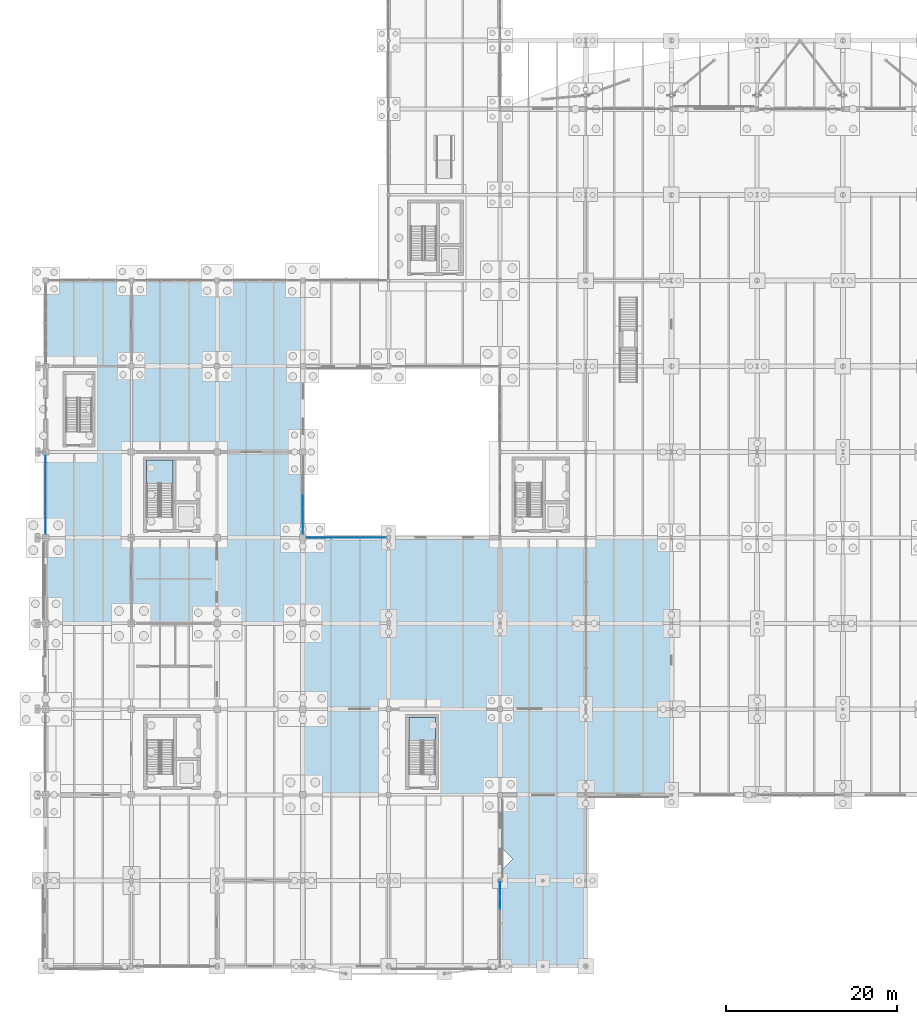
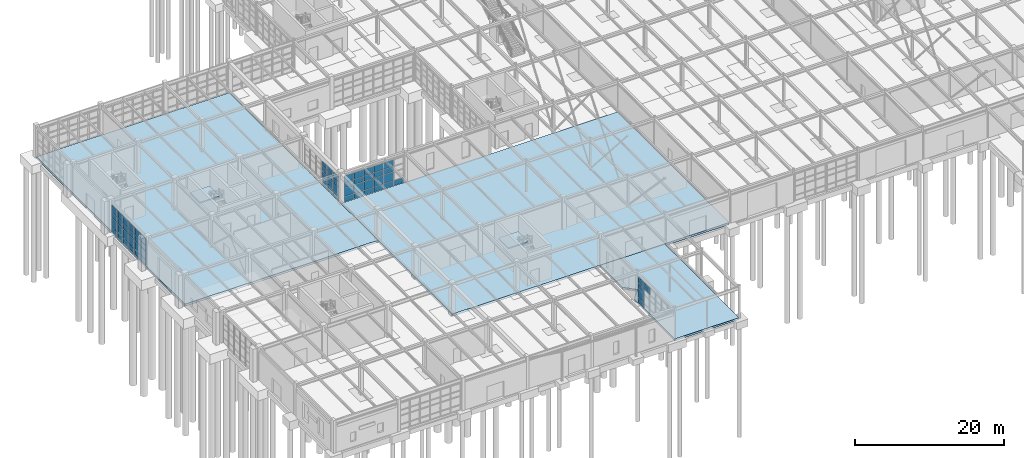
# One storey, part 83 of 145: 62 plates, 5 slabs, 6 elements without a shape of their own.
"""IFC4 building model written with IfcOpenShell, lengths in metres."""

from ifc_helpers import new_model, si_unit, direction, frame, origin, origin_2d, place, context, subcontext, project, spatial, polyline, rectangle, outline, extrude, material, layer, layer_set, type_object, element, aggregate, save


model = new_model("IFC4")

# Units and contexts
model_context = context("Model", 3, precision=1e-05, world=origin(), true_north=direction((0.0, 1.0)))
body_context = subcontext(model_context, "Body", "Model", "MODEL_VIEW")
ifc_project = project(units=[si_unit("LENGTHUNIT", "METRE"), si_unit("AREAUNIT", "SQUARE_METRE"), si_unit("VOLUMEUNIT", "CUBIC_METRE"), si_unit("PLANEANGLEUNIT", "RADIAN"), si_unit("MASSUNIT", "GRAM", prefix="KILO"), si_unit("THERMODYNAMICTEMPERATUREUNIT", "KELVIN"), si_unit("POWERUNIT", "WATT")], contexts=[model_context])

# Site, building, storey
site_placement = place(None, origin())
site = spatial("IfcSite", under=ifc_project, at=site_placement, CompositionType="ELEMENT")
building_placement = place(site_placement, origin())
building = spatial("IfcBuilding", under=site, at=building_placement, Name="Korenveer Ferry Terminal", CompositionType="ELEMENT")
storey_placement = place(building_placement, origin())
storey = spatial("IfcBuildingStorey", under=building, at=storey_placement, Name="L00", CompositionType="ELEMENT", Elevation=0.0)

# Curtain wall, plates
ifc_material_1 = material(Name="Unitised bronze-and-glass curtain wall", Category="glass")
ifc_layer_1 = layer(ifc_material_1, 0.159912109375)
ifc_layer_set_1 = layer_set([ifc_layer_1], Name="Unitised bronze-and-glass curtain wall")
curtain_wall_type_1 = type_object("IfcCurtainWallType", Name="ENV-CW-03", PredefinedType="USERDEFINED", material=ifc_layer_set_1)
curtain_wall_1_placement = place(storey_placement, frame((30.405029296875, 50.0, 0.0)))
curtain_wall_1 = element("IfcCurtainWall", 1, at=curtain_wall_1_placement, inside=storey, type_object=curtain_wall_type_1, Name="Lancet curtain wall CWX-L00-X30-40-Y50-50", ObjectType="UNITISED CURTAIN WALL", PredefinedType="USERDEFINED")
ifc_material_2 = material(Name="Low-iron solar-control double glazing", Category="glass")
ifc_layer_2 = layer(ifc_material_2, 0.028076171875)
ifc_layer_set_2 = layer_set([ifc_layer_2], Name="Low-iron solar-control double glazing")
plate_type = type_object("IfcPlateType", Name="ENV-CWP-GLZ28", PredefinedType="CURTAIN_PANEL", material=ifc_layer_set_2)
plate_1_placement = place(storey_placement, frame((31.200439453125, 50.0, 0.06005859375), z_axis=(0.0, 0.0, 1.0), x_axis=(1.0, 0.0, 0.0)))
plate_1 = element("IfcPlate", 2, at=plate_1_placement, type_object=plate_type, Name="CW-03 panel 1.1", PredefinedType="CURTAIN_PANEL", context=body_context, shape_type="SweptSolid", body=[
    extrude(rectangle(XDim=1.470947265625, YDim=0.028076171875, at=origin_2d()), origin(), (0.0, 0.0, 1.0), 0.81005859375),
])
plate_2_placement = place(storey_placement, frame((31.200439453125, 50.0, 0.93017578125), z_axis=(0.0, 0.0, 1.0), x_axis=(1.0, 0.0, 0.0)))
plate_2 = element("IfcPlate", 3, at=plate_2_placement, type_object=plate_type, Name="CW-03 panel 1.2", PredefinedType="CURTAIN_PANEL", context=body_context, shape_type="SweptSolid", body=[
    extrude(rectangle(XDim=1.470947265625, YDim=0.028076171875, at=origin_2d()), origin(), (0.0, 0.0, 1.0), 1.389892578125),
])
plate_3_placement = place(storey_placement, frame((31.200439453125, 50.0, 2.3798828125), z_axis=(0.0, 0.0, 1.0), x_axis=(1.0, 0.0, 0.0)))
plate_3 = element("IfcPlate", 4, at=plate_3_placement, type_object=plate_type, Name="CW-03 panel 1.3", PredefinedType="CURTAIN_PANEL", context=body_context, shape_type="SweptSolid", body=[
    extrude(rectangle(XDim=1.470947265625, YDim=0.028076171875, at=origin_2d()), origin(), (0.0, 0.0, 1.0), 0.840087890625),
])
plate_4_placement = place(storey_placement, frame((31.200439453125, 50.0, 3.27978515625), z_axis=(0.0, 0.0, 1.0), x_axis=(1.0, 0.0, 0.0)))
plate_4 = element("IfcPlate", 5, at=plate_4_placement, type_object=plate_type, Name="CW-03 panel 1.4", PredefinedType="CURTAIN_PANEL", context=body_context, shape_type="SweptSolid", body=[
    extrude(rectangle(XDim=1.470947265625, YDim=0.028076171875, at=origin_2d()), origin(), (0.0, 0.0, 1.0), 1.050048828125),
])
plate_5_placement = place(storey_placement, frame((32.746337890625, 50.0, 0.06005859375), z_axis=(0.0, 0.0, 1.0), x_axis=(1.0, 0.0, 0.0)))
plate_5 = element("IfcPlate", 6, at=plate_5_placement, type_object=plate_type, Name="CW-03 panel 2.1", PredefinedType="CURTAIN_PANEL", context=body_context, shape_type="SweptSolid", body=[
    extrude(rectangle(XDim=1.500732421875, YDim=0.028076171875, at=origin_2d()), origin(), (0.0, 0.0, 1.0), 0.81005859375),
])
plate_6_placement = place(storey_placement, frame((32.746337890625, 50.0, 0.93017578125), z_axis=(0.0, 0.0, 1.0), x_axis=(1.0, 0.0, 0.0)))
plate_6 = element("IfcPlate", 7, at=plate_6_placement, type_object=plate_type, Name="CW-03 panel 2.2", PredefinedType="CURTAIN_PANEL", context=body_context, shape_type="SweptSolid", body=[
    extrude(rectangle(XDim=1.500732421875, YDim=0.028076171875, at=origin_2d()), origin(), (0.0, 0.0, 1.0), 1.389892578125),
])
plate_7_placement = place(storey_placement, frame((32.746337890625, 50.0, 2.3798828125), z_axis=(0.0, 0.0, 1.0), x_axis=(1.0, 0.0, 0.0)))
plate_7 = element("IfcPlate", 8, at=plate_7_placement, type_object=plate_type, Name="CW-03 panel 2.3", PredefinedType="CURTAIN_PANEL", context=body_context, shape_type="SweptSolid", body=[
    extrude(rectangle(XDim=1.500732421875, YDim=0.028076171875, at=origin_2d()), origin(), (0.0, 0.0, 1.0), 0.840087890625),
])
plate_8_placement = place(storey_placement, frame((32.746337890625, 50.0, 3.27978515625), z_axis=(0.0, 0.0, 1.0), x_axis=(1.0, 0.0, 0.0)))
plate_8 = element("IfcPlate", 9, at=plate_8_placement, type_object=plate_type, Name="CW-03 panel 2.4", PredefinedType="CURTAIN_PANEL", context=body_context, shape_type="SweptSolid", body=[
    extrude(rectangle(XDim=1.500732421875, YDim=0.028076171875, at=origin_2d()), origin(), (0.0, 0.0, 1.0), 1.050048828125),
])
plate_9_placement = place(storey_placement, frame((34.30712890625, 50.0, 0.06005859375), z_axis=(0.0, 0.0, 1.0), x_axis=(1.0, 0.0, 0.0)))
plate_9 = element("IfcPlate", 10, at=plate_9_placement, type_object=plate_type, Name="CW-03 panel 3.1", PredefinedType="CURTAIN_PANEL", context=body_context, shape_type="SweptSolid", body=[
    extrude(rectangle(XDim=1.500732421875, YDim=0.028076171875, at=origin_2d()), origin(), (0.0, 0.0, 1.0), 0.81005859375),
])
plate_10_placement = place(storey_placement, frame((34.30712890625, 50.0, 0.93017578125), z_axis=(0.0, 0.0, 1.0), x_axis=(1.0, 0.0, 0.0)))
plate_10 = element("IfcPlate", 11, at=plate_10_placement, type_object=plate_type, Name="CW-03 panel 3.2", PredefinedType="CURTAIN_PANEL", context=body_context, shape_type="SweptSolid", body=[
    extrude(rectangle(XDim=1.500732421875, YDim=0.028076171875, at=origin_2d()), origin(), (0.0, 0.0, 1.0), 1.389892578125),
])
plate_11_placement = place(storey_placement, frame((34.30712890625, 50.0, 2.3798828125), z_axis=(0.0, 0.0, 1.0), x_axis=(1.0, 0.0, 0.0)))
plate_11 = element("IfcPlate", 12, at=plate_11_placement, type_object=plate_type, Name="CW-03 panel 3.3", PredefinedType="CURTAIN_PANEL", context=body_context, shape_type="SweptSolid", body=[
    extrude(rectangle(XDim=1.500732421875, YDim=0.028076171875, at=origin_2d()), origin(), (0.0, 0.0, 1.0), 0.840087890625),
])
plate_12_placement = place(storey_placement, frame((34.30712890625, 50.0, 3.27978515625), z_axis=(0.0, 0.0, 1.0), x_axis=(1.0, 0.0, 0.0)))
plate_12 = element("IfcPlate", 13, at=plate_12_placement, type_object=plate_type, Name="CW-03 panel 3.4", PredefinedType="CURTAIN_PANEL", context=body_context, shape_type="SweptSolid", body=[
    extrude(rectangle(XDim=1.500732421875, YDim=0.028076171875, at=origin_2d()), origin(), (0.0, 0.0, 1.0), 1.050048828125),
])
plate_13_placement = place(storey_placement, frame((35.867919921875, 50.0, 0.06005859375), z_axis=(0.0, 0.0, 1.0), x_axis=(1.0, 0.0, 0.0)))
plate_13 = element("IfcPlate", 14, at=plate_13_placement, type_object=plate_type, Name="CW-03 panel 4.1", PredefinedType="CURTAIN_PANEL", context=body_context, shape_type="SweptSolid", body=[
    extrude(rectangle(XDim=1.500732421875, YDim=0.028076171875, at=origin_2d()), origin(), (0.0, 0.0, 1.0), 0.81005859375),
])
plate_14_placement = place(storey_placement, frame((35.867919921875, 50.0, 0.93017578125), z_axis=(0.0, 0.0, 1.0), x_axis=(1.0, 0.0, 0.0)))
plate_14 = element("IfcPlate", 15, at=plate_14_placement, type_object=plate_type, Name="CW-03 panel 4.2", PredefinedType="CURTAIN_PANEL", context=body_context, shape_type="SweptSolid", body=[
    extrude(rectangle(XDim=1.500732421875, YDim=0.028076171875, at=origin_2d()), origin(), (0.0, 0.0, 1.0), 1.389892578125),
])
plate_15_placement = place(storey_placement, frame((35.867919921875, 50.0, 2.3798828125), z_axis=(0.0, 0.0, 1.0), x_axis=(1.0, 0.0, 0.0)))
plate_15 = element("IfcPlate", 16, at=plate_15_placement, type_object=plate_type, Name="CW-03 panel 4.3", PredefinedType="CURTAIN_PANEL", context=body_context, shape_type="SweptSolid", body=[
    extrude(rectangle(XDim=1.500732421875, YDim=0.028076171875, at=origin_2d()), origin(), (0.0, 0.0, 1.0), 0.840087890625),
])
plate_16_placement = place(storey_placement, frame((35.867919921875, 50.0, 3.27978515625), z_axis=(0.0, 0.0, 1.0), x_axis=(1.0, 0.0, 0.0)))
plate_16 = element("IfcPlate", 17, at=plate_16_placement, type_object=plate_type, Name="CW-03 panel 4.4", PredefinedType="CURTAIN_PANEL", context=body_context, shape_type="SweptSolid", body=[
    extrude(rectangle(XDim=1.500732421875, YDim=0.028076171875, at=origin_2d()), origin(), (0.0, 0.0, 1.0), 1.050048828125),
])
plate_17_placement = place(storey_placement, frame((37.4287109375, 50.0, 0.06005859375), z_axis=(0.0, 0.0, 1.0), x_axis=(1.0, 0.0, 0.0)))
plate_17 = element("IfcPlate", 18, at=plate_17_placement, type_object=plate_type, Name="CW-03 panel 5.1", PredefinedType="CURTAIN_PANEL", context=body_context, shape_type="SweptSolid", body=[
    extrude(rectangle(XDim=1.500732421875, YDim=0.028076171875, at=origin_2d()), origin(), (0.0, 0.0, 1.0), 0.81005859375),
])
plate_18_placement = place(storey_placement, frame((37.4287109375, 50.0, 0.93017578125), z_axis=(0.0, 0.0, 1.0), x_axis=(1.0, 0.0, 0.0)))
plate_18 = element("IfcPlate", 19, at=plate_18_placement, type_object=plate_type, Name="CW-03 panel 5.2", PredefinedType="CURTAIN_PANEL", context=body_context, shape_type="SweptSolid", body=[
    extrude(rectangle(XDim=1.500732421875, YDim=0.028076171875, at=origin_2d()), origin(), (0.0, 0.0, 1.0), 1.389892578125),
])
plate_19_placement = place(storey_placement, frame((37.4287109375, 50.0, 2.3798828125), z_axis=(0.0, 0.0, 1.0), x_axis=(1.0, 0.0, 0.0)))
plate_19 = element("IfcPlate", 20, at=plate_19_placement, type_object=plate_type, Name="CW-03 panel 5.3", PredefinedType="CURTAIN_PANEL", context=body_context, shape_type="SweptSolid", body=[
    extrude(rectangle(XDim=1.500732421875, YDim=0.028076171875, at=origin_2d()), origin(), (0.0, 0.0, 1.0), 0.840087890625),
])
plate_20_placement = place(storey_placement, frame((37.4287109375, 50.0, 3.27978515625), z_axis=(0.0, 0.0, 1.0), x_axis=(1.0, 0.0, 0.0)))
plate_20 = element("IfcPlate", 21, at=plate_20_placement, type_object=plate_type, Name="CW-03 panel 5.4", PredefinedType="CURTAIN_PANEL", context=body_context, shape_type="SweptSolid", body=[
    extrude(rectangle(XDim=1.500732421875, YDim=0.028076171875, at=origin_2d()), origin(), (0.0, 0.0, 1.0), 1.050048828125),
])
plate_21_placement = place(storey_placement, frame((38.974609375, 50.0, 0.06005859375), z_axis=(0.0, 0.0, 1.0), x_axis=(1.0, 0.0, 0.0)))
plate_21 = element("IfcPlate", 22, at=plate_21_placement, type_object=plate_type, Name="CW-03 panel 6.1", PredefinedType="CURTAIN_PANEL", context=body_context, shape_type="SweptSolid", body=[
    extrude(rectangle(XDim=1.470947265625, YDim=0.028076171875, at=origin_2d()), origin(), (0.0, 0.0, 1.0), 0.81005859375),
])
aggregate(curtain_wall_1, [plate_1, plate_2, plate_3, plate_4, plate_5, plate_6, plate_7, plate_8, plate_9, plate_10, plate_11, plate_12, plate_13, plate_14, plate_15, plate_16, plate_17, plate_18, plate_19, plate_20, plate_21])

ifc_layer_3 = layer(ifc_material_1, 0.159912109375)
ifc_layer_set_3 = layer_set([ifc_layer_3], Name="Unitised bronze-and-glass curtain wall")
curtain_wall_type_2 = type_object("IfcCurtainWallType", Name="ENV-CW-18", PredefinedType="USERDEFINED", material=ifc_layer_set_3)
curtain_wall_2_placement = place(storey_placement, frame((0.0, 50.405029296875, 0.0)))
curtain_wall_2 = element("IfcCurtainWall", 23, at=curtain_wall_2_placement, inside=storey, type_object=curtain_wall_type_2, Name="Lancet curtain wall CWX-L00-X0-0-Y50-60", ObjectType="UNITISED CURTAIN WALL", PredefinedType="USERDEFINED")
plate_22_placement = place(storey_placement, frame((0.0, 51.185791015625, 0.06005859375), z_axis=(0.0, 0.0, 1.0), x_axis=(0.0, 1.0, 0.0)))
plate_22 = element("IfcPlate", 24, at=plate_22_placement, type_object=plate_type, Name="CW-18 panel 1.1", PredefinedType="CURTAIN_PANEL", context=body_context, shape_type="SweptSolid", body=[
    extrude(rectangle(XDim=1.441650390625, YDim=0.028076171875, at=origin_2d()), origin(), (0.0, 0.0, 1.0), 0.81005859375),
])
plate_23_placement = place(storey_placement, frame((0.0, 51.185791015625, 0.93017578125), z_axis=(0.0, 0.0, 1.0), x_axis=(0.0, 1.0, 0.0)))
plate_23 = element("IfcPlate", 25, at=plate_23_placement, type_object=plate_type, Name="CW-18 panel 1.2", PredefinedType="CURTAIN_PANEL", context=body_context, shape_type="SweptSolid", body=[
    extrude(rectangle(XDim=1.441650390625, YDim=0.028076171875, at=origin_2d()), origin(), (0.0, 0.0, 1.0), 1.389892578125),
])
plate_24_placement = place(storey_placement, frame((0.0, 51.185791015625, 2.3798828125), z_axis=(0.0, 0.0, 1.0), x_axis=(0.0, 1.0, 0.0)))
plate_24 = element("IfcPlate", 26, at=plate_24_placement, type_object=plate_type, Name="CW-18 panel 1.3", PredefinedType="CURTAIN_PANEL", context=body_context, shape_type="SweptSolid", body=[
    extrude(rectangle(XDim=1.441650390625, YDim=0.028076171875, at=origin_2d()), origin(), (0.0, 0.0, 1.0), 0.840087890625),
])
plate_25_placement = place(storey_placement, frame((0.0, 51.185791015625, 3.280029296875), z_axis=(0.0, 0.0, 1.0), x_axis=(0.0, 1.0, 0.0)))
plate_25 = element("IfcPlate", 27, at=plate_25_placement, type_object=plate_type, Name="CW-18 panel 1.4", PredefinedType="CURTAIN_PANEL", context=body_context, shape_type="SweptSolid", body=[
    extrude(rectangle(XDim=1.441650390625, YDim=0.028076171875, at=origin_2d()), origin(), (0.0, 0.0, 1.0), 1.14990234375),
])
plate_26_placement = place(storey_placement, frame((0.0, 52.702392578125, 0.06005859375), z_axis=(0.0, 0.0, 1.0), x_axis=(0.0, 1.0, 0.0)))
plate_26 = element("IfcPlate", 28, at=plate_26_placement, type_object=plate_type, Name="CW-18 panel 2.1", PredefinedType="CURTAIN_PANEL", context=body_context, shape_type="SweptSolid", body=[
    extrude(rectangle(XDim=1.4716796875, YDim=0.028076171875, at=origin_2d()), origin(), (0.0, 0.0, 1.0), 0.81005859375),
])
plate_27_placement = place(storey_placement, frame((0.0, 52.702392578125, 0.93017578125), z_axis=(0.0, 0.0, 1.0), x_axis=(0.0, 1.0, 0.0)))
plate_27 = element("IfcPlate", 29, at=plate_27_placement, type_object=plate_type, Name="CW-18 panel 2.2", PredefinedType="CURTAIN_PANEL", context=body_context, shape_type="SweptSolid", body=[
    extrude(rectangle(XDim=1.4716796875, YDim=0.028076171875, at=origin_2d()), origin(), (0.0, 0.0, 1.0), 1.389892578125),
])
plate_28_placement = place(storey_placement, frame((0.0, 52.702392578125, 2.3798828125), z_axis=(0.0, 0.0, 1.0), x_axis=(0.0, 1.0, 0.0)))
plate_28 = element("IfcPlate", 30, at=plate_28_placement, type_object=plate_type, Name="CW-18 panel 2.3", PredefinedType="CURTAIN_PANEL", context=body_context, shape_type="SweptSolid", body=[
    extrude(rectangle(XDim=1.4716796875, YDim=0.028076171875, at=origin_2d()), origin(), (0.0, 0.0, 1.0), 0.840087890625),
])
plate_29_placement = place(storey_placement, frame((0.0, 52.702392578125, 3.280029296875), z_axis=(0.0, 0.0, 1.0), x_axis=(0.0, 1.0, 0.0)))
plate_29 = element("IfcPlate", 31, at=plate_29_placement, type_object=plate_type, Name="CW-18 panel 2.4", PredefinedType="CURTAIN_PANEL", context=body_context, shape_type="SweptSolid", body=[
    extrude(rectangle(XDim=1.4716796875, YDim=0.028076171875, at=origin_2d()), origin(), (0.0, 0.0, 1.0), 1.14990234375),
])
plate_30_placement = place(storey_placement, frame((0.0, 54.234130859375, 0.06005859375), z_axis=(0.0, 0.0, 1.0), x_axis=(0.0, 1.0, 0.0)))
plate_30 = element("IfcPlate", 32, at=plate_30_placement, type_object=plate_type, Name="CW-18 panel 3.1", PredefinedType="CURTAIN_PANEL", context=body_context, shape_type="SweptSolid", body=[
    extrude(rectangle(XDim=1.4716796875, YDim=0.028076171875, at=origin_2d()), origin(), (0.0, 0.0, 1.0), 0.81005859375),
])
plate_31_placement = place(storey_placement, frame((0.0, 54.234130859375, 0.93017578125), z_axis=(0.0, 0.0, 1.0), x_axis=(0.0, 1.0, 0.0)))
plate_31 = element("IfcPlate", 33, at=plate_31_placement, type_object=plate_type, Name="CW-18 panel 3.2", PredefinedType="CURTAIN_PANEL", context=body_context, shape_type="SweptSolid", body=[
    extrude(rectangle(XDim=1.4716796875, YDim=0.028076171875, at=origin_2d()), origin(), (0.0, 0.0, 1.0), 1.389892578125),
])
plate_32_placement = place(storey_placement, frame((0.0, 54.234130859375, 2.3798828125), z_axis=(0.0, 0.0, 1.0), x_axis=(0.0, 1.0, 0.0)))
plate_32 = element("IfcPlate", 34, at=plate_32_placement, type_object=plate_type, Name="CW-18 panel 3.3", PredefinedType="CURTAIN_PANEL", context=body_context, shape_type="SweptSolid", body=[
    extrude(rectangle(XDim=1.4716796875, YDim=0.028076171875, at=origin_2d()), origin(), (0.0, 0.0, 1.0), 0.840087890625),
])
plate_33_placement = place(storey_placement, frame((0.0, 54.234130859375, 3.280029296875), z_axis=(0.0, 0.0, 1.0), x_axis=(0.0, 1.0, 0.0)))
plate_33 = element("IfcPlate", 35, at=plate_33_placement, type_object=plate_type, Name="CW-18 panel 3.4", PredefinedType="CURTAIN_PANEL", context=body_context, shape_type="SweptSolid", body=[
    extrude(rectangle(XDim=1.4716796875, YDim=0.028076171875, at=origin_2d()), origin(), (0.0, 0.0, 1.0), 1.14990234375),
])
plate_34_placement = place(storey_placement, frame((0.0, 55.765869140625, 0.06005859375), z_axis=(0.0, 0.0, 1.0), x_axis=(0.0, 1.0, 0.0)))
plate_34 = element("IfcPlate", 36, at=plate_34_placement, type_object=plate_type, Name="CW-18 panel 4.1", PredefinedType="CURTAIN_PANEL", context=body_context, shape_type="SweptSolid", body=[
    extrude(rectangle(XDim=1.4716796875, YDim=0.028076171875, at=origin_2d()), origin(), (0.0, 0.0, 1.0), 0.81005859375),
])
plate_35_placement = place(storey_placement, frame((0.0, 55.765869140625, 0.93017578125), z_axis=(0.0, 0.0, 1.0), x_axis=(0.0, 1.0, 0.0)))
plate_35 = element("IfcPlate", 37, at=plate_35_placement, type_object=plate_type, Name="CW-18 panel 4.2", PredefinedType="CURTAIN_PANEL", context=body_context, shape_type="SweptSolid", body=[
    extrude(rectangle(XDim=1.4716796875, YDim=0.028076171875, at=origin_2d()), origin(), (0.0, 0.0, 1.0), 1.389892578125),
])
plate_36_placement = place(storey_placement, frame((0.0, 55.765869140625, 2.3798828125), z_axis=(0.0, 0.0, 1.0), x_axis=(0.0, 1.0, 0.0)))
plate_36 = element("IfcPlate", 38, at=plate_36_placement, type_object=plate_type, Name="CW-18 panel 4.3", PredefinedType="CURTAIN_PANEL", context=body_context, shape_type="SweptSolid", body=[
    extrude(rectangle(XDim=1.4716796875, YDim=0.028076171875, at=origin_2d()), origin(), (0.0, 0.0, 1.0), 0.840087890625),
])
plate_37_placement = place(storey_placement, frame((0.0, 55.765869140625, 3.280029296875), z_axis=(0.0, 0.0, 1.0), x_axis=(0.0, 1.0, 0.0)))
plate_37 = element("IfcPlate", 39, at=plate_37_placement, type_object=plate_type, Name="CW-18 panel 4.4", PredefinedType="CURTAIN_PANEL", context=body_context, shape_type="SweptSolid", body=[
    extrude(rectangle(XDim=1.4716796875, YDim=0.028076171875, at=origin_2d()), origin(), (0.0, 0.0, 1.0), 1.14990234375),
])
plate_38_placement = place(storey_placement, frame((0.0, 57.297607421875, 0.06005859375), z_axis=(0.0, 0.0, 1.0), x_axis=(0.0, 1.0, 0.0)))
plate_38 = element("IfcPlate", 40, at=plate_38_placement, type_object=plate_type, Name="CW-18 panel 5.1", PredefinedType="CURTAIN_PANEL", context=body_context, shape_type="SweptSolid", body=[
    extrude(rectangle(XDim=1.4716796875, YDim=0.028076171875, at=origin_2d()), origin(), (0.0, 0.0, 1.0), 0.81005859375),
])
plate_39_placement = place(storey_placement, frame((0.0, 57.297607421875, 0.93017578125), z_axis=(0.0, 0.0, 1.0), x_axis=(0.0, 1.0, 0.0)))
plate_39 = element("IfcPlate", 41, at=plate_39_placement, type_object=plate_type, Name="CW-18 panel 5.2", PredefinedType="CURTAIN_PANEL", context=body_context, shape_type="SweptSolid", body=[
    extrude(rectangle(XDim=1.4716796875, YDim=0.028076171875, at=origin_2d()), origin(), (0.0, 0.0, 1.0), 1.389892578125),
])
plate_40_placement = place(storey_placement, frame((0.0, 57.297607421875, 2.3798828125), z_axis=(0.0, 0.0, 1.0), x_axis=(0.0, 1.0, 0.0)))
plate_40 = element("IfcPlate", 42, at=plate_40_placement, type_object=plate_type, Name="CW-18 panel 5.3", PredefinedType="CURTAIN_PANEL", context=body_context, shape_type="SweptSolid", body=[
    extrude(rectangle(XDim=1.4716796875, YDim=0.028076171875, at=origin_2d()), origin(), (0.0, 0.0, 1.0), 0.840087890625),
])
plate_41_placement = place(storey_placement, frame((0.0, 57.297607421875, 3.280029296875), z_axis=(0.0, 0.0, 1.0), x_axis=(0.0, 1.0, 0.0)))
plate_41 = element("IfcPlate", 43, at=plate_41_placement, type_object=plate_type, Name="CW-18 panel 5.4", PredefinedType="CURTAIN_PANEL", context=body_context, shape_type="SweptSolid", body=[
    extrude(rectangle(XDim=1.4716796875, YDim=0.028076171875, at=origin_2d()), origin(), (0.0, 0.0, 1.0), 1.14990234375),
])
plate_42_placement = place(storey_placement, frame((0.0, 58.814208984375, 0.06005859375), z_axis=(0.0, 0.0, 1.0), x_axis=(0.0, 1.0, 0.0)))
plate_42 = element("IfcPlate", 44, at=plate_42_placement, type_object=plate_type, Name="CW-18 panel 6.1", PredefinedType="CURTAIN_PANEL", context=body_context, shape_type="SweptSolid", body=[
    extrude(rectangle(XDim=1.441650390625, YDim=0.028076171875, at=origin_2d()), origin(), (0.0, 0.0, 1.0), 0.81005859375),
])
plate_43_placement = place(storey_placement, frame((0.0, 58.814208984375, 0.93017578125), z_axis=(0.0, 0.0, 1.0), x_axis=(0.0, 1.0, 0.0)))
plate_43 = element("IfcPlate", 45, at=plate_43_placement, type_object=plate_type, Name="CW-18 panel 6.2", PredefinedType="CURTAIN_PANEL", context=body_context, shape_type="SweptSolid", body=[
    extrude(rectangle(XDim=1.441650390625, YDim=0.028076171875, at=origin_2d()), origin(), (0.0, 0.0, 1.0), 1.389892578125),
])
plate_44_placement = place(storey_placement, frame((0.0, 58.814208984375, 2.3798828125), z_axis=(0.0, 0.0, 1.0), x_axis=(0.0, 1.0, 0.0)))
plate_44 = element("IfcPlate", 46, at=plate_44_placement, type_object=plate_type, Name="CW-18 panel 6.3", PredefinedType="CURTAIN_PANEL", context=body_context, shape_type="SweptSolid", body=[
    extrude(rectangle(XDim=1.441650390625, YDim=0.028076171875, at=origin_2d()), origin(), (0.0, 0.0, 1.0), 0.840087890625),
])
plate_45_placement = place(storey_placement, frame((0.0, 58.814208984375, 3.280029296875), z_axis=(0.0, 0.0, 1.0), x_axis=(0.0, 1.0, 0.0)))
plate_45 = element("IfcPlate", 47, at=plate_45_placement, type_object=plate_type, Name="CW-18 panel 6.4", PredefinedType="CURTAIN_PANEL", context=body_context, shape_type="SweptSolid", body=[
    extrude(rectangle(XDim=1.441650390625, YDim=0.028076171875, at=origin_2d()), origin(), (0.0, 0.0, 1.0), 1.14990234375),
])
aggregate(curtain_wall_2, [plate_22, plate_23, plate_24, plate_25, plate_26, plate_27, plate_28, plate_29, plate_30, plate_31, plate_32, plate_33, plate_34, plate_35, plate_36, plate_37, plate_38, plate_39, plate_40, plate_41, plate_42, plate_43, plate_44, plate_45])

ifc_layer_4 = layer(ifc_material_1, 0.159912109375)
ifc_layer_set_4 = layer_set([ifc_layer_4], Name="Unitised bronze-and-glass curtain wall")
curtain_wall_type_3 = type_object("IfcCurtainWallType", Name="ENV-CW-20", PredefinedType="USERDEFINED", material=ifc_layer_set_4)
curtain_wall_3_placement = place(storey_placement, frame((30.0, 59.594970703125, 0.0)))
curtain_wall_3 = element("IfcCurtainWall", 48, at=curtain_wall_3_placement, inside=storey, type_object=curtain_wall_type_3, Name="Lancet curtain wall CWX-L00-X30-30-Y50-60", ObjectType="UNITISED CURTAIN WALL", PredefinedType="USERDEFINED")
plate_46_placement = place(storey_placement, frame((30.0, 54.234130859375, 0.06005859375), z_axis=(0.0, 0.0, 1.0), x_axis=(0.0, -1.0, 0.0)))
plate_46 = element("IfcPlate", 49, at=plate_46_placement, type_object=plate_type, Name="CW-20 panel 4.1", PredefinedType="CURTAIN_PANEL", context=body_context, shape_type="SweptSolid", body=[
    extrude(rectangle(XDim=1.4716796875, YDim=0.028076171875, at=origin_2d()), origin(), (0.0, 0.0, 1.0), 0.81005859375),
])
plate_47_placement = place(storey_placement, frame((30.0, 54.234130859375, 0.93017578125), z_axis=(0.0, 0.0, 1.0), x_axis=(0.0, -1.0, 0.0)))
plate_47 = element("IfcPlate", 50, at=plate_47_placement, type_object=plate_type, Name="CW-20 panel 4.2", PredefinedType="CURTAIN_PANEL", context=body_context, shape_type="SweptSolid", body=[
    extrude(rectangle(XDim=1.4716796875, YDim=0.028076171875, at=origin_2d()), origin(), (0.0, 0.0, 1.0), 1.389892578125),
])
plate_48_placement = place(storey_placement, frame((30.0, 54.234130859375, 2.3798828125), z_axis=(0.0, 0.0, 1.0), x_axis=(0.0, -1.0, 0.0)))
plate_48 = element("IfcPlate", 51, at=plate_48_placement, type_object=plate_type, Name="CW-20 panel 4.3", PredefinedType="CURTAIN_PANEL", context=body_context, shape_type="SweptSolid", body=[
    extrude(rectangle(XDim=1.4716796875, YDim=0.028076171875, at=origin_2d()), origin(), (0.0, 0.0, 1.0), 0.840087890625),
])
plate_49_placement = place(storey_placement, frame((30.0, 54.234130859375, 3.280029296875), z_axis=(0.0, 0.0, 1.0), x_axis=(0.0, -1.0, 0.0)))
plate_49 = element("IfcPlate", 52, at=plate_49_placement, type_object=plate_type, Name="CW-20 panel 4.4", PredefinedType="CURTAIN_PANEL", context=body_context, shape_type="SweptSolid", body=[
    extrude(rectangle(XDim=1.4716796875, YDim=0.028076171875, at=origin_2d()), origin(), (0.0, 0.0, 1.0), 0.75),
])
plate_50_placement = place(storey_placement, frame((30.0, 52.702392578125, 0.06005859375), z_axis=(0.0, 0.0, 1.0), x_axis=(0.0, -1.0, 0.0)))
plate_50 = element("IfcPlate", 53, at=plate_50_placement, type_object=plate_type, Name="CW-20 panel 5.1", PredefinedType="CURTAIN_PANEL", context=body_context, shape_type="SweptSolid", body=[
    extrude(rectangle(XDim=1.4716796875, YDim=0.028076171875, at=origin_2d()), origin(), (0.0, 0.0, 1.0), 0.81005859375),
])
plate_51_placement = place(storey_placement, frame((30.0, 52.702392578125, 0.93017578125), z_axis=(0.0, 0.0, 1.0), x_axis=(0.0, -1.0, 0.0)))
plate_51 = element("IfcPlate", 54, at=plate_51_placement, type_object=plate_type, Name="CW-20 panel 5.2", PredefinedType="CURTAIN_PANEL", context=body_context, shape_type="SweptSolid", body=[
    extrude(rectangle(XDim=1.4716796875, YDim=0.028076171875, at=origin_2d()), origin(), (0.0, 0.0, 1.0), 1.389892578125),
])
plate_52_placement = place(storey_placement, frame((30.0, 52.702392578125, 2.3798828125), z_axis=(0.0, 0.0, 1.0), x_axis=(0.0, -1.0, 0.0)))
plate_52 = element("IfcPlate", 55, at=plate_52_placement, type_object=plate_type, Name="CW-20 panel 5.3", PredefinedType="CURTAIN_PANEL", context=body_context, shape_type="SweptSolid", body=[
    extrude(rectangle(XDim=1.4716796875, YDim=0.028076171875, at=origin_2d()), origin(), (0.0, 0.0, 1.0), 0.840087890625),
])
plate_53_placement = place(storey_placement, frame((30.0, 52.702392578125, 3.280029296875), z_axis=(0.0, 0.0, 1.0), x_axis=(0.0, -1.0, 0.0)))
plate_53 = element("IfcPlate", 56, at=plate_53_placement, type_object=plate_type, Name="CW-20 panel 5.4", PredefinedType="CURTAIN_PANEL", context=body_context, shape_type="SweptSolid", body=[
    extrude(rectangle(XDim=1.4716796875, YDim=0.028076171875, at=origin_2d()), origin(), (0.0, 0.0, 1.0), 0.75),
])
plate_54_placement = place(storey_placement, frame((30.0, 51.185791015625, 0.06005859375), z_axis=(0.0, 0.0, 1.0), x_axis=(0.0, -1.0, 0.0)))
plate_54 = element("IfcPlate", 57, at=plate_54_placement, type_object=plate_type, Name="CW-20 panel 6.1", PredefinedType="CURTAIN_PANEL", context=body_context, shape_type="SweptSolid", body=[
    extrude(rectangle(XDim=1.441650390625, YDim=0.028076171875, at=origin_2d()), origin(), (0.0, 0.0, 1.0), 0.81005859375),
])
plate_55_placement = place(storey_placement, frame((30.0, 51.185791015625, 0.93017578125), z_axis=(0.0, 0.0, 1.0), x_axis=(0.0, -1.0, 0.0)))
plate_55 = element("IfcPlate", 58, at=plate_55_placement, type_object=plate_type, Name="CW-20 panel 6.2", PredefinedType="CURTAIN_PANEL", context=body_context, shape_type="SweptSolid", body=[
    extrude(rectangle(XDim=1.441650390625, YDim=0.028076171875, at=origin_2d()), origin(), (0.0, 0.0, 1.0), 1.389892578125),
])
plate_56_placement = place(storey_placement, frame((30.0, 51.185791015625, 2.3798828125), z_axis=(0.0, 0.0, 1.0), x_axis=(0.0, -1.0, 0.0)))
plate_56 = element("IfcPlate", 59, at=plate_56_placement, type_object=plate_type, Name="CW-20 panel 6.3", PredefinedType="CURTAIN_PANEL", context=body_context, shape_type="SweptSolid", body=[
    extrude(rectangle(XDim=1.441650390625, YDim=0.028076171875, at=origin_2d()), origin(), (0.0, 0.0, 1.0), 0.840087890625),
])
plate_57_placement = place(storey_placement, frame((30.0, 51.185791015625, 3.280029296875), z_axis=(0.0, 0.0, 1.0), x_axis=(0.0, -1.0, 0.0)))
plate_57 = element("IfcPlate", 60, at=plate_57_placement, type_object=plate_type, Name="CW-20 panel 6.4", PredefinedType="CURTAIN_PANEL", context=body_context, shape_type="SweptSolid", body=[
    extrude(rectangle(XDim=1.441650390625, YDim=0.028076171875, at=origin_2d()), origin(), (0.0, 0.0, 1.0), 0.75),
])
aggregate(curtain_wall_3, [plate_46, plate_47, plate_48, plate_49, plate_50, plate_51, plate_52, plate_53, plate_54, plate_55, plate_56, plate_57])

ifc_layer_5 = layer(ifc_material_1, 0.159912109375)
ifc_layer_set_5 = layer_set([ifc_layer_5], Name="Unitised bronze-and-glass curtain wall")
curtain_wall_type_4 = type_object("IfcCurtainWallType", Name="ENV-CW-25", PredefinedType="USERDEFINED", material=ifc_layer_set_5)
curtain_wall_4_placement = place(storey_placement, frame((53.0, 9.844970703125, 0.0)))
curtain_wall_4 = element("IfcCurtainWall", 61, at=curtain_wall_4_placement, inside=storey, type_object=curtain_wall_type_4, Name="Lancet curtain wall CWX-L00-X53-53-Y0-10", ObjectType="UNITISED CURTAIN WALL", PredefinedType="USERDEFINED")
plate_58_placement = place(storey_placement, frame((53.0, 9.0224609375, 0.06005859375), z_axis=(0.0, 0.0, 1.0), x_axis=(0.0, -1.0, 0.0)))
plate_58 = element("IfcPlate", 62, at=plate_58_placement, type_object=plate_type, Name="CW-25 panel 1.1", PredefinedType="CURTAIN_PANEL", context=body_context, shape_type="SweptSolid", body=[
    extrude(rectangle(XDim=1.52490234375, YDim=0.028076171875, at=origin_2d()), origin(), (0.0, 0.0, 1.0), 0.81005859375),
])
plate_59_placement = place(storey_placement, frame((53.0, 9.0224609375, 0.93017578125), z_axis=(0.0, 0.0, 1.0), x_axis=(0.0, -1.0, 0.0)))
plate_59 = element("IfcPlate", 63, at=plate_59_placement, type_object=plate_type, Name="CW-25 panel 1.2", PredefinedType="CURTAIN_PANEL", context=body_context, shape_type="SweptSolid", body=[
    extrude(rectangle(XDim=1.52490234375, YDim=0.028076171875, at=origin_2d()), origin(), (0.0, 0.0, 1.0), 1.389892578125),
])
plate_60_placement = place(storey_placement, frame((53.0, 9.0224609375, 2.3798828125), z_axis=(0.0, 0.0, 1.0), x_axis=(0.0, -1.0, 0.0)))
plate_60 = element("IfcPlate", 64, at=plate_60_placement, type_object=plate_type, Name="CW-25 panel 1.3", PredefinedType="CURTAIN_PANEL", context=body_context, shape_type="SweptSolid", body=[
    extrude(rectangle(XDim=1.52490234375, YDim=0.028076171875, at=origin_2d()), origin(), (0.0, 0.0, 1.0), 0.840087890625),
])
plate_61_placement = place(storey_placement, frame((53.0, 9.0224609375, 3.27978515625), z_axis=(0.0, 0.0, 1.0), x_axis=(0.0, -1.0, 0.0)))
plate_61 = element("IfcPlate", 65, at=plate_61_placement, type_object=plate_type, Name="CW-25 panel 1.4", PredefinedType="CURTAIN_PANEL", context=body_context, shape_type="SweptSolid", body=[
    extrude(rectangle(XDim=1.52490234375, YDim=0.028076171875, at=origin_2d()), origin(), (0.0, 0.0, 1.0), 0.989990234375),
])
plate_62_placement = place(storey_placement, frame((53.0, 7.422607421875, 3.27978515625), z_axis=(0.0, 0.0, 1.0), x_axis=(0.0, -1.0, 0.0)))
plate_62 = element("IfcPlate", 66, at=plate_62_placement, type_object=plate_type, Name="CW-25 panel 2.4", PredefinedType="CURTAIN_PANEL", context=body_context, shape_type="SweptSolid", body=[
    extrude(rectangle(XDim=1.554931640625, YDim=0.028076171875, at=origin_2d()), origin(), (0.0, 0.0, 1.0), 0.989990234375),
])
aggregate(curtain_wall_4, [plate_58, plate_59, plate_60, plate_61, plate_62])

# Stair, slab
ifc_material_3 = material(Name="Concrete C40/50", Category="concrete")
stair_type = type_object("IfcStairType", Name="INT-ST-01", PredefinedType="HALF_TURN_STAIR", material=ifc_material_3)
stair_1_placement = place(storey_placement, frame((14.135009765625, 52.409912109375, 0.0)))
stair_1 = element("IfcStair", 67, at=stair_1_placement, inside=storey, type_object=stair_type, Name="L00 West Operations Core K2", PredefinedType="HALF_TURN_STAIR")
ifc_layer_6 = layer(ifc_material_3, 0.199951171875)
ifc_layer_set_6 = layer_set([ifc_layer_6], Name="Concrete C40/50")
slab_type_1 = type_object("IfcSlabType", Name="INT-SL-LAND200", PredefinedType="LANDING", material=ifc_layer_set_6)
slab_1_placement = place(storey_placement, frame((0.0, 0.0, 2.5)))
slab_1 = element("IfcSlab", 68, at=slab_1_placement, type_object=slab_type_1, Name="ST02 landing 1", PredefinedType="LANDING", context=body_context, shape_type="SweptSolid", body=[
    extrude(outline(polyline([(14.860107421875, 56.330078125), (14.860107421875, 59.0400390625), (11.760009765625, 59.0400390625), (11.760009765625, 56.330078125), (14.860107421875, 56.330078125)])), origin(), (0.0, 0.0, 1.0), 0.199951171875),
])
aggregate(stair_1, [slab_1])

stair_2_placement = place(storey_placement, frame((44.735107421875, 22.409912109375, 0.0)))
stair_2 = element("IfcStair", 69, at=stair_2_placement, inside=storey, type_object=stair_type, Name="L00 Arrivals West Stair Core K9", PredefinedType="HALF_TURN_STAIR")
slab_2_placement = place(storey_placement, frame((0.0, 0.0, 2.5)))
slab_2 = element("IfcSlab", 70, at=slab_2_placement, type_object=slab_type_1, Name="ST09 landing 1", PredefinedType="LANDING", context=body_context, shape_type="SweptSolid", body=[
    extrude(outline(polyline([(45.4599609375, 26.330078125), (45.4599609375, 29.0400390625), (42.360107421875, 29.0400390625), (42.360107421875, 26.330078125), (45.4599609375, 26.330078125)])), origin(), (0.0, 0.0, 1.0), 0.199951171875),
])
aggregate(stair_2, [slab_2])

# Slabs
ifc_layer_7 = layer(ifc_material_3, 0.35009765625)
ifc_layer_set_7 = layer_set([ifc_layer_7], Name="Concrete C40/50")
slab_type_2 = type_object("IfcSlabType", Name="STR-SL-BASE350", PredefinedType="BASESLAB", material=ifc_layer_set_7)
slab_3_placement = place(storey_placement, frame((0.0, 0.0, -0.35009765625)))
element("IfcSlab", 71, at=slab_3_placement, inside=storey, type_object=slab_type_2, Name="Floor slab SL-L00-W2", PredefinedType="BASESLAB", context=body_context, shape_type="SweptSolid", body=[
    extrude(outline(polyline([(0.0, 40.0), (30.0, 40.0), (30.0, 80.0), (0.0, 80.0), (0.0, 40.0)])), origin(), (0.0, 0.0, 1.0), 0.35009765625),
])
slab_4_placement = place(storey_placement, frame((0.0, 0.0, -0.35009765625)))
element("IfcSlab", 72, at=slab_4_placement, inside=storey, type_object=slab_type_2, Name="Floor slab SL-L00-ARW", PredefinedType="BASESLAB", context=body_context, shape_type="SweptSolid", body=[
    extrude(outline(polyline([(30.0, 20.0), (73.0, 20.0), (73.0, 50.0), (30.0, 50.0), (30.0, 20.0)])), origin(), (0.0, 0.0, 1.0), 0.35009765625),
])
ifc_material_4 = material(Name="Concrete C35/45", Category="concrete")
ifc_layer_8 = layer(ifc_material_4, 0.320068359375)
ifc_layer_set_8 = layer_set([ifc_layer_8], Name="Concrete C35/45")
slab_type_3 = type_object("IfcSlabType", Name="STR-SL-FLR320", PredefinedType="FLOOR", material=ifc_layer_set_8)
slab_5_placement = place(storey_placement, frame((0.0, 0.0, -0.320068359375)))
element("IfcSlab", 73, at=slab_5_placement, inside=storey, type_object=slab_type_3, Name="West Forecourt Drop-Off Apron", PredefinedType="FLOOR", context=body_context, shape_type="SweptSolid", body=[
    extrude(outline(polyline([(53.0, 0.0), (63.0, 0.0), (63.0, 20.0), (53.0, 20.0), (53.0, 14.0), (54.5, 12.5), (53.0, 11.0), (53.0, 0.0)])), origin(), (0.0, 0.0, 1.0), 0.320068359375),
])

save(model, "model.ifc")
